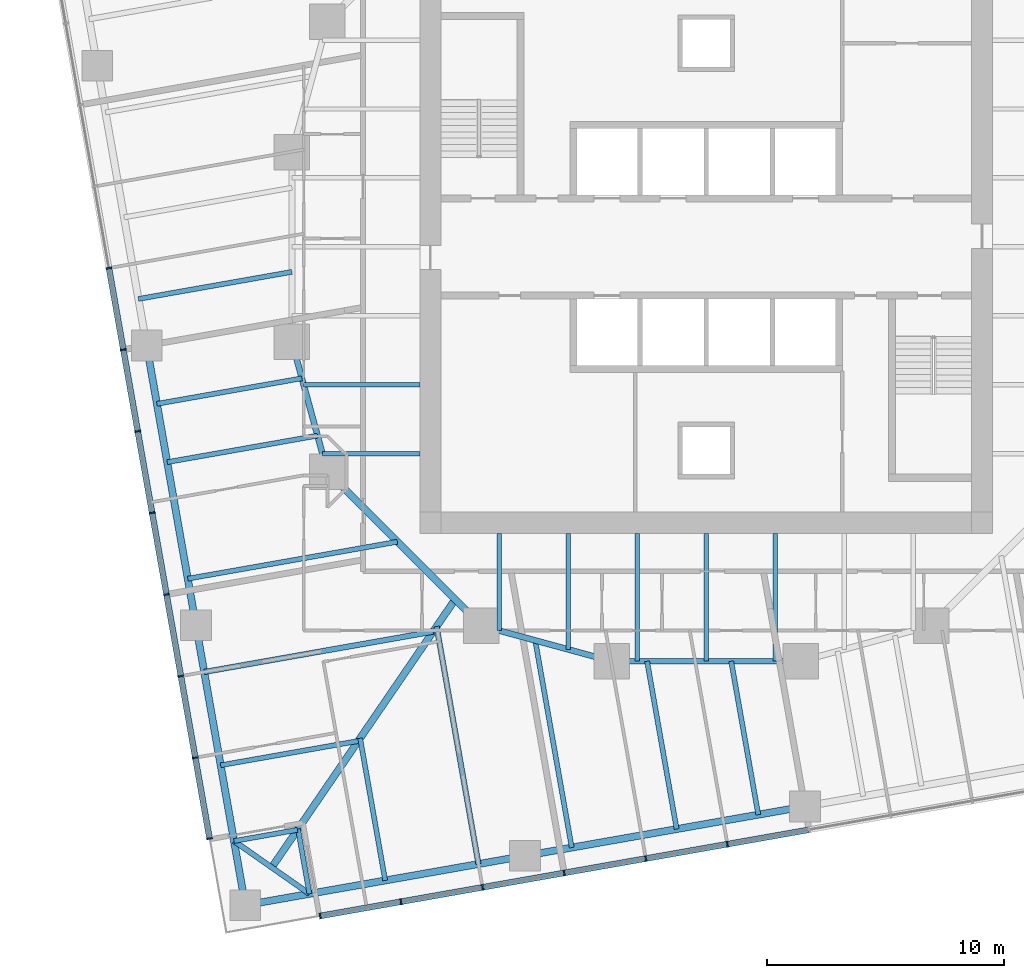
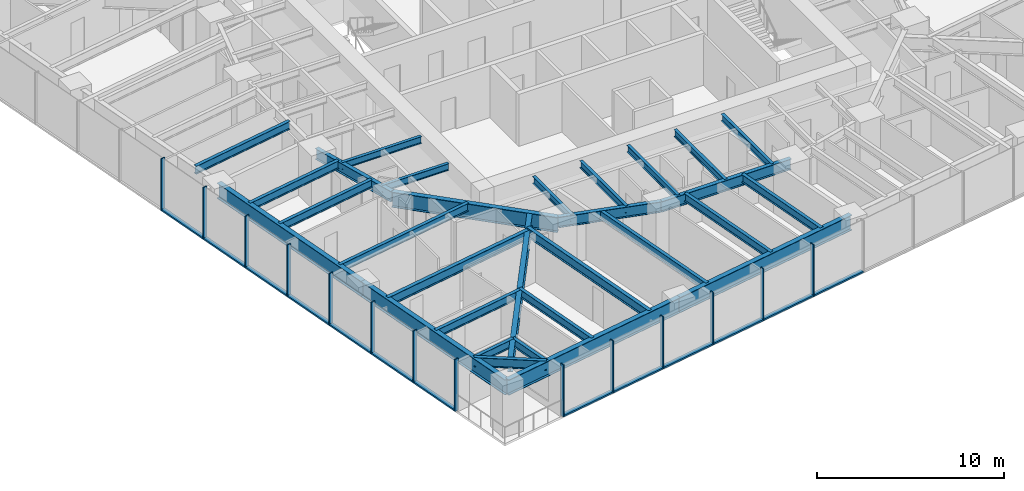
# One storey, part 2 of 14: 30 beams, 27 members, 2 elements without a shape of their own.
"""IFC4 building model written with IfcOpenShell, lengths in metres."""

from ifc_helpers import new_model, si_unit, direction, frame, origin, origin_2d, place, context, subcontext, project, spatial, rectangle, i_section, extrude, material, material_profile, profile_set, type_object, element, aggregate, save


model = new_model("IFC4")

# Units and contexts
model_context = context("Model", 3, precision=1e-05, world=origin(), true_north=direction((0.0, 1.0)))
body_context = subcontext(model_context, "Body", "Model", "MODEL_VIEW")
ifc_project = project(units=[si_unit("LENGTHUNIT", "METRE"), si_unit("AREAUNIT", "SQUARE_METRE"), si_unit("VOLUMEUNIT", "CUBIC_METRE"), si_unit("PLANEANGLEUNIT", "RADIAN"), si_unit("MASSUNIT", "GRAM", prefix="KILO")], contexts=[model_context])

# Site, building, storey
site_placement = place(None, origin())
site = spatial("IfcSite", under=ifc_project, at=site_placement, CompositionType="ELEMENT")
building_placement = place(site_placement, origin())
building = spatial("IfcBuilding", under=site, at=building_placement, Name="Torsade Residences", CompositionType="ELEMENT")
storey_placement = place(building_placement, frame((0.0, 0.0, 96.39990234375)))
storey = spatial("IfcBuildingStorey", under=building, at=storey_placement, Name="L26", CompositionType="ELEMENT", Elevation=96.39990234375)

# Beams
ifc_material_1 = material(Name="Steel grade 300", Category="steel")
ifc_material_profile_1 = material_profile(ifc_material_1, i_section(OverallWidth=0.300048828125, OverallDepth=0.89990234375, WebThickness=0.011962890625, FlangeThickness=0.02490234375, at=origin_2d()), Name="900WB175")
ifc_profile_set_1 = profile_set([ifc_material_profile_1], Name="Steel grade 300")
beam_type_1 = type_object("IfcBeamType", Name="CORNER GIRDER 900WB175", PredefinedType="BEAM", material=ifc_profile_set_1)
beam_1_placement = place(storey_placement, frame((21.6474609375, 3.7900390625, 2.800048828125), z_axis=(0.564724759437, 0.825279313977, 0.0), x_axis=(-0.825279313977, 0.564724759437, 0.0)))
element("IfcBeam", 1, at=beam_1_placement, inside=storey, type_object=beam_type_1, Name="Corner girder 01 L27", PredefinedType="BEAM", context=body_context, shape_type="SweptSolid", body=[
    extrude(i_section(OverallWidth=0.300048828125, OverallDepth=0.89990234375, WebThickness=0.011962890625, FlangeThickness=0.02490234375, at=origin_2d()), origin(), (0.0, 0.0, 1.0), 13.7138671875),
])
ifc_material_2 = material(Name="Steel grade 300", Category="steel")
ifc_material_profile_2 = material_profile(ifc_material_2, i_section(OverallWidth=0.22802734375, OverallDepth=0.60205078125, WebThickness=0.010498046875, FlangeThickness=0.014892578125, FilletRadius=0.013916015625, at=origin_2d()), Name="610UB101")
ifc_profile_set_2 = profile_set([ifc_material_profile_2], Name="Steel grade 300")
beam_type_2 = type_object("IfcBeamType", Name="CORNER TRIMMER 610UB101", PredefinedType="BEAM", material=ifc_profile_set_2)
beam_2_placement = place(storey_placement, frame((23.240478515625, 2.674560546875, 2.94921875), z_axis=(-0.819152285145, 0.573576092373, 0.0), x_axis=(-0.573576092373, -0.819152285145, 0.0)))
element("IfcBeam", 2, at=beam_2_placement, inside=storey, type_object=beam_type_2, Name="Corner trimmer 01 L27", PredefinedType="BEAM", context=body_context, shape_type="SweptSolid", body=[
    extrude(i_section(OverallWidth=0.22802734375, OverallDepth=0.60205078125, WebThickness=0.010498046875, FlangeThickness=0.014892578125, FilletRadius=0.013916015625, at=origin_2d()), origin(), (0.0, 0.0, 1.0), 3.88916015625),
])

# Curtain wall, members
ifc_material_3 = material(Name="Aluminium and glass", Category="aluminium")
curtain_wall_type = type_object("IfcCurtainWallType", Name="FRITTED GLASS CURTAIN WALL LOW ZONE", PredefinedType="NOTDEFINED", material=ifc_material_3)
curtain_wall_1_placement = place(storey_placement, origin())
curtain_wall_1 = element("IfcCurtainWall", 3, at=curtain_wall_1_placement, inside=storey, type_object=curtain_wall_type, Name="Curtain wall L26 face 1", PredefinedType="NOTDEFINED")
ifc_material_4 = material(Name="Aluminium mullion", Category="aluminium")
ifc_material_profile_3 = material_profile(ifc_material_4, rectangle(XDim=0.25, YDim=0.06494140625, at=origin_2d()), Name="CURTAIN WALL MULLION 250x65")
ifc_profile_set_3 = profile_set([ifc_material_profile_3], Name="Aluminium mullion")
member_type_1 = type_object("IfcMemberType", Name="CURTAIN WALL MULLION 250x65", PredefinedType="MULLION", material=ifc_profile_set_3)
member_1_placement = place(storey_placement, frame((23.692138671875, 1.73876953125, 0.0), z_axis=(0.0, 0.0, 1.0), x_axis=(-0.173648192638, 0.984807750372, 0.0)))
member_1 = element("IfcMember", 4, at=member_1_placement, type_object=member_type_1, Name="Mullion 1", PredefinedType="MULLION", context=body_context, shape_type="SweptSolid", body=[
    extrude(rectangle(XDim=0.25, YDim=0.06494140625, at=origin_2d()), origin(), (0.0, 0.0, 1.0), 3.400146484375),
])
member_2_placement = place(storey_placement, frame((27.107177734375, 2.341064453125, 0.0), z_axis=(0.0, 0.0, 1.0), x_axis=(-0.173648192638, 0.984807750372, 0.0)))
member_2 = element("IfcMember", 5, at=member_2_placement, type_object=member_type_1, Name="Mullion 2", PredefinedType="MULLION", context=body_context, shape_type="SweptSolid", body=[
    extrude(rectangle(XDim=0.25, YDim=0.06494140625, at=origin_2d()), origin(), (0.0, 0.0, 1.0), 3.400146484375),
])
member_3_placement = place(storey_placement, frame((30.553955078125, 2.94873046875, 0.0), z_axis=(0.0, 0.0, 1.0), x_axis=(-0.173648192638, 0.984807750372, 0.0)))
member_3 = element("IfcMember", 6, at=member_3_placement, type_object=member_type_1, Name="Mullion 3", PredefinedType="MULLION", context=body_context, shape_type="SweptSolid", body=[
    extrude(rectangle(XDim=0.25, YDim=0.06494140625, at=origin_2d()), origin(), (0.0, 0.0, 1.0), 3.400146484375),
])
member_4_placement = place(storey_placement, frame((34.000732421875, 3.556396484375, 0.0), z_axis=(0.0, 0.0, 1.0), x_axis=(-0.173648192638, 0.984807750372, 0.0)))
member_4 = element("IfcMember", 7, at=member_4_placement, type_object=member_type_1, Name="Mullion 4", PredefinedType="MULLION", context=body_context, shape_type="SweptSolid", body=[
    extrude(rectangle(XDim=0.25, YDim=0.06494140625, at=origin_2d()), origin(), (0.0, 0.0, 1.0), 3.400146484375),
])
member_5_placement = place(storey_placement, frame((37.447509765625, 4.164306640625, 0.0), z_axis=(0.0, 0.0, 1.0), x_axis=(-0.173648192638, 0.984807750372, 0.0)))
member_5 = element("IfcMember", 8, at=member_5_placement, type_object=member_type_1, Name="Mullion 5", PredefinedType="MULLION", context=body_context, shape_type="SweptSolid", body=[
    extrude(rectangle(XDim=0.25, YDim=0.06494140625, at=origin_2d()), origin(), (0.0, 0.0, 1.0), 3.400146484375),
])
member_6_placement = place(storey_placement, frame((40.894287109375, 4.77197265625, 0.0), z_axis=(0.0, 0.0, 1.0), x_axis=(-0.173648192638, 0.984807750372, 0.0)))
member_6 = element("IfcMember", 9, at=member_6_placement, type_object=member_type_1, Name="Mullion 6", PredefinedType="MULLION", context=body_context, shape_type="SweptSolid", body=[
    extrude(rectangle(XDim=0.25, YDim=0.06494140625, at=origin_2d()), origin(), (0.0, 0.0, 1.0), 3.400146484375),
])

curtain_wall_2_placement = place(storey_placement, origin())
curtain_wall_2 = element("IfcCurtainWall", 10, at=curtain_wall_2_placement, inside=storey, type_object=curtain_wall_type, Name="Curtain wall L26 face 10", PredefinedType="NOTDEFINED")
member_7_placement = place(storey_placement, frame((14.77197265625, 29.105712890625, 0.0), z_axis=(0.0, 0.0, 1.0), x_axis=(0.984807750372, 0.173648192638, 0.0)))
member_7 = element("IfcMember", 11, at=member_7_placement, type_object=member_type_1, Name="Mullion 6", PredefinedType="MULLION", context=body_context, shape_type="SweptSolid", body=[
    extrude(rectangle(XDim=0.25, YDim=0.06494140625, at=origin_2d()), origin(), (0.0, 0.0, 1.0), 3.400146484375),
])
member_8_placement = place(storey_placement, frame((15.3798828125, 25.65869140625, 0.0), z_axis=(0.0, 0.0, 1.0), x_axis=(0.984807750372, 0.173648192638, 0.0)))
member_8 = element("IfcMember", 12, at=member_8_placement, type_object=member_type_1, Name="Mullion 7", PredefinedType="MULLION", context=body_context, shape_type="SweptSolid", body=[
    extrude(rectangle(XDim=0.25, YDim=0.06494140625, at=origin_2d()), origin(), (0.0, 0.0, 1.0), 3.400146484375),
])
member_9_placement = place(storey_placement, frame((15.987548828125, 22.2119140625, 0.0), z_axis=(0.0, 0.0, 1.0), x_axis=(0.984807750372, 0.173648192638, 0.0)))
member_9 = element("IfcMember", 13, at=member_9_placement, type_object=member_type_1, Name="Mullion 8", PredefinedType="MULLION", context=body_context, shape_type="SweptSolid", body=[
    extrude(rectangle(XDim=0.25, YDim=0.06494140625, at=origin_2d()), origin(), (0.0, 0.0, 1.0), 3.400146484375),
])
member_10_placement = place(storey_placement, frame((16.595458984375, 18.76513671875, 0.0), z_axis=(0.0, 0.0, 1.0), x_axis=(0.984807750372, 0.173648192638, 0.0)))
member_10 = element("IfcMember", 14, at=member_10_placement, type_object=member_type_1, Name="Mullion 9", PredefinedType="MULLION", context=body_context, shape_type="SweptSolid", body=[
    extrude(rectangle(XDim=0.25, YDim=0.06494140625, at=origin_2d()), origin(), (0.0, 0.0, 1.0), 3.400146484375),
])
member_11_placement = place(storey_placement, frame((17.203125, 15.318359375, 0.0), z_axis=(0.0, 0.0, 1.0), x_axis=(0.984807750372, 0.173648192638, 0.0)))
member_11 = element("IfcMember", 15, at=member_11_placement, type_object=member_type_1, Name="Mullion 10", PredefinedType="MULLION", context=body_context, shape_type="SweptSolid", body=[
    extrude(rectangle(XDim=0.25, YDim=0.06494140625, at=origin_2d()), origin(), (0.0, 0.0, 1.0), 3.400146484375),
])
member_12_placement = place(storey_placement, frame((17.810791015625, 11.87158203125, 0.0), z_axis=(0.0, 0.0, 1.0), x_axis=(0.984807750372, 0.173648192638, 0.0)))
member_12 = element("IfcMember", 16, at=member_12_placement, type_object=member_type_1, Name="Mullion 11", PredefinedType="MULLION", context=body_context, shape_type="SweptSolid", body=[
    extrude(rectangle(XDim=0.25, YDim=0.06494140625, at=origin_2d()), origin(), (0.0, 0.0, 1.0), 3.400146484375),
])
member_13_placement = place(storey_placement, frame((18.418701171875, 8.424560546875, 0.0), z_axis=(0.0, 0.0, 1.0), x_axis=(0.984807750372, 0.173648192638, 0.0)))
member_13 = element("IfcMember", 17, at=member_13_placement, type_object=member_type_1, Name="Mullion 12", PredefinedType="MULLION", context=body_context, shape_type="SweptSolid", body=[
    extrude(rectangle(XDim=0.25, YDim=0.06494140625, at=origin_2d()), origin(), (0.0, 0.0, 1.0), 3.400146484375),
])
member_14_placement = place(storey_placement, frame((19.020751953125, 5.009765625, 0.0), z_axis=(0.0, 0.0, 1.0), x_axis=(0.984807750372, 0.173648192638, 0.0)))
member_14 = element("IfcMember", 18, at=member_14_placement, type_object=member_type_1, Name="Mullion 13", PredefinedType="MULLION", context=body_context, shape_type="SweptSolid", body=[
    extrude(rectangle(XDim=0.25, YDim=0.06494140625, at=origin_2d()), origin(), (0.0, 0.0, 1.0), 3.400146484375),
])

# Member
ifc_material_5 = material(Name="Aluminium transom", Category="aluminium")
ifc_material_profile_4 = material_profile(ifc_material_5, rectangle(XDim=0.25, YDim=0.10009765625, at=origin_2d()), Name="CURTAIN WALL TRANSOM 250x100")
ifc_profile_set_4 = profile_set([ifc_material_profile_4], Name="Aluminium transom")
member_type_2 = type_object("IfcMemberType", Name="CURTAIN WALL TRANSOM 250x100", PredefinedType="USERDEFINED", material=ifc_profile_set_4)
member_15_placement = place(storey_placement, frame((23.724365234375, 1.744384765625, 0.050048828125), z_axis=(0.984806666774, 0.173654337918, 0.0), x_axis=(-0.173654337918, 0.984806666774, 0.0)))
member_15 = element("IfcMember", 19, at=member_15_placement, type_object=member_type_2, Name="Transom 1.1", ObjectType="TRANSOM", PredefinedType="USERDEFINED", context=body_context, shape_type="SweptSolid", body=[
    extrude(rectangle(XDim=0.25, YDim=0.10009765625, at=origin_2d()), origin(), (0.0, 0.0, 1.0), 3.40234375),
])

member_16_placement = place(storey_placement, frame((27.13916015625, 2.3466796875, 0.050048828125), z_axis=(0.984810021497, 0.17363531196, 0.0), x_axis=(-0.17363531196, 0.984810021497, 0.0)))
member_16 = element("IfcMember", 20, at=member_16_placement, type_object=member_type_2, Name="Transom 2.1", ObjectType="TRANSOM", PredefinedType="USERDEFINED", context=body_context, shape_type="SweptSolid", body=[
    extrude(rectangle(XDim=0.25, YDim=0.10009765625, at=origin_2d()), origin(), (0.0, 0.0, 1.0), 3.43505859375),
])

member_17_placement = place(storey_placement, frame((30.5859375, 2.954345703125, 0.050048828125), z_axis=(0.984810021497, 0.17363531196, 0.0), x_axis=(-0.17363531196, 0.984810021497, 0.0)))
member_17 = element("IfcMember", 21, at=member_17_placement, type_object=member_type_2, Name="Transom 3.1", ObjectType="TRANSOM", PredefinedType="USERDEFINED", context=body_context, shape_type="SweptSolid", body=[
    extrude(rectangle(XDim=0.25, YDim=0.10009765625, at=origin_2d()), origin(), (0.0, 0.0, 1.0), 3.43505859375),
])

member_18_placement = place(storey_placement, frame((34.03271484375, 3.562255859375, 0.050048828125), z_axis=(0.984810021497, 0.17363531196, 0.0), x_axis=(-0.17363531196, 0.984810021497, 0.0)))
member_18 = element("IfcMember", 22, at=member_18_placement, type_object=member_type_2, Name="Transom 4.1", ObjectType="TRANSOM", PredefinedType="USERDEFINED", context=body_context, shape_type="SweptSolid", body=[
    extrude(rectangle(XDim=0.25, YDim=0.10009765625, at=origin_2d()), origin(), (0.0, 0.0, 1.0), 3.43505859375),
])

member_19_placement = place(storey_placement, frame((37.4794921875, 4.169921875, 0.050048828125), z_axis=(0.984810021497, 0.17363531196, 0.0), x_axis=(-0.17363531196, 0.984810021497, 0.0)))
member_19 = element("IfcMember", 23, at=member_19_placement, type_object=member_type_2, Name="Transom 5.1", ObjectType="TRANSOM", PredefinedType="USERDEFINED", context=body_context, shape_type="SweptSolid", body=[
    extrude(rectangle(XDim=0.25, YDim=0.10009765625, at=origin_2d()), origin(), (0.0, 0.0, 1.0), 3.43505859375),
])

member_20_placement = place(storey_placement, frame((40.92626953125, 4.777587890625, 0.050048828125), z_axis=(0.98479786563, 0.173704242465, 0.0), x_axis=(-0.173704242465, 0.98479786563, 0.0)))
member_20 = element("IfcMember", 24, at=member_20_placement, type_object=member_type_2, Name="Transom 6.1", ObjectType="TRANSOM", PredefinedType="USERDEFINED", context=body_context, shape_type="SweptSolid", body=[
    extrude(rectangle(XDim=0.25, YDim=0.10009765625, at=origin_2d()), origin(), (0.0, 0.0, 1.0), 3.43505859375),
])

aggregate(curtain_wall_1, [member_1, member_2, member_3, member_4, member_5, member_6, member_15, member_16, member_17, member_18, member_19, member_20])

member_21_placement = place(storey_placement, frame((14.777587890625, 29.07373046875, 0.050048828125), z_axis=(0.173704242465, -0.98479786563, 0.0), x_axis=(0.98479786563, 0.173704242465, 0.0)))
member_21 = element("IfcMember", 25, at=member_21_placement, type_object=member_type_2, Name="Transom 6.1", ObjectType="TRANSOM", PredefinedType="USERDEFINED", context=body_context, shape_type="SweptSolid", body=[
    extrude(rectangle(XDim=0.25, YDim=0.10009765625, at=origin_2d()), origin(), (0.0, 0.0, 1.0), 3.43505859375),
])

member_22_placement = place(storey_placement, frame((15.385498046875, 25.626708984375, 0.050048828125), z_axis=(0.17363531196, -0.984810021497, 0.0), x_axis=(0.984810021497, 0.17363531196, 0.0)))
member_22 = element("IfcMember", 26, at=member_22_placement, type_object=member_type_2, Name="Transom 7.1", ObjectType="TRANSOM", PredefinedType="USERDEFINED", context=body_context, shape_type="SweptSolid", body=[
    extrude(rectangle(XDim=0.25, YDim=0.10009765625, at=origin_2d()), origin(), (0.0, 0.0, 1.0), 3.43505859375),
])

member_23_placement = place(storey_placement, frame((15.9931640625, 22.179931640625, 0.050048828125), z_axis=(0.17363531196, -0.984810021497, 0.0), x_axis=(0.984810021497, 0.17363531196, 0.0)))
member_23 = element("IfcMember", 27, at=member_23_placement, type_object=member_type_2, Name="Transom 8.1", ObjectType="TRANSOM", PredefinedType="USERDEFINED", context=body_context, shape_type="SweptSolid", body=[
    extrude(rectangle(XDim=0.25, YDim=0.10009765625, at=origin_2d()), origin(), (0.0, 0.0, 1.0), 3.43505859375),
])

member_24_placement = place(storey_placement, frame((16.60107421875, 18.733154296875, 0.050048828125), z_axis=(0.17363531196, -0.984810021497, 0.0), x_axis=(0.984810021497, 0.17363531196, 0.0)))
member_24 = element("IfcMember", 28, at=member_24_placement, type_object=member_type_2, Name="Transom 9.1", ObjectType="TRANSOM", PredefinedType="USERDEFINED", context=body_context, shape_type="SweptSolid", body=[
    extrude(rectangle(XDim=0.25, YDim=0.10009765625, at=origin_2d()), origin(), (0.0, 0.0, 1.0), 3.43505859375),
])

member_25_placement = place(storey_placement, frame((17.208740234375, 15.286376953125, 0.050048828125), z_axis=(0.17363531196, -0.984810021497, 0.0), x_axis=(0.984810021497, 0.17363531196, 0.0)))
member_25 = element("IfcMember", 29, at=member_25_placement, type_object=member_type_2, Name="Transom 10.1", ObjectType="TRANSOM", PredefinedType="USERDEFINED", context=body_context, shape_type="SweptSolid", body=[
    extrude(rectangle(XDim=0.25, YDim=0.10009765625, at=origin_2d()), origin(), (0.0, 0.0, 1.0), 3.43505859375),
])

member_26_placement = place(storey_placement, frame((17.81640625, 11.839599609375, 0.050048828125), z_axis=(0.173704242465, -0.98479786563, 0.0), x_axis=(0.98479786563, 0.173704242465, 0.0)))
member_26 = element("IfcMember", 30, at=member_26_placement, type_object=member_type_2, Name="Transom 11.1", ObjectType="TRANSOM", PredefinedType="USERDEFINED", context=body_context, shape_type="SweptSolid", body=[
    extrude(rectangle(XDim=0.25, YDim=0.10009765625, at=origin_2d()), origin(), (0.0, 0.0, 1.0), 3.43505859375),
])

member_27_placement = place(storey_placement, frame((18.42431640625, 8.392578125, 0.050048828125), z_axis=(0.173642067011, -0.984808830466, 0.0), x_axis=(0.984808830466, 0.173642067011, 0.0)))
member_27 = element("IfcMember", 31, at=member_27_placement, type_object=member_type_2, Name="Transom 12.1", ObjectType="TRANSOM", PredefinedType="USERDEFINED", context=body_context, shape_type="SweptSolid", body=[
    extrude(rectangle(XDim=0.25, YDim=0.10009765625, at=origin_2d()), origin(), (0.0, 0.0, 1.0), 3.402587890625),
])

aggregate(curtain_wall_2, [member_7, member_8, member_9, member_10, member_11, member_12, member_13, member_14, member_21, member_22, member_23, member_24, member_25, member_26, member_27])

# Beams
ifc_material_6 = material(Name="Steel grade 300", Category="steel")
ifc_material_profile_5 = material_profile(ifc_material_6, i_section(OverallWidth=0.300048828125, OverallDepth=1.0, WebThickness=0.01611328125, FlangeThickness=0.028076171875, at=origin_2d()), Name="1000WB215")
ifc_profile_set_5 = profile_set([ifc_material_profile_5], Name="Steel grade 300")
beam_type_3 = type_object("IfcBeamType", Name="EDGE BEAM 1000WB215", PredefinedType="SPANDREL", material=ifc_profile_set_5)
for number, where, z_axis, x_axis, name in (
    (32, (20.5322265625, 2.197021484375, 2.75), (0.984808127031, 0.173646056486, 0.0), (-0.173646056486, 0.984808127031, 0.0), "Edge beam 01 L27"),
    (33, (32.349853515625, 4.28076171875, 2.75), (0.984808127031, 0.173646056486, 0.0), (-0.173646056486, 0.984808127031, 0.0), "Edge beam 02 L27"),
):
    element("IfcBeam", number, at=place(storey_placement, frame(where, z_axis=z_axis, x_axis=x_axis)), inside=storey, type_object=beam_type_3, Name=name, PredefinedType="SPANDREL", context=body_context, shape_type="SweptSolid", body=[
        extrude(i_section(OverallWidth=0.300048828125, OverallDepth=1.0, WebThickness=0.01611328125, FlangeThickness=0.028076171875, at=origin_2d()), origin(), (0.0, 0.0, 1.0), 12.0),
    ])
beam_3_placement = place(storey_placement, frame((16.364501953125, 25.83251953125, 2.75), z_axis=(0.173662308598, -0.984805261243, 0.0), x_axis=(0.984805261243, 0.173662308598, 0.0)))
element("IfcBeam", 34, at=beam_3_placement, inside=storey, type_object=beam_type_3, Name="Edge beam 15 L27", PredefinedType="SPANDREL", context=body_context, shape_type="SweptSolid", body=[
    extrude(i_section(OverallWidth=0.300048828125, OverallDepth=1.0, WebThickness=0.01611328125, FlangeThickness=0.028076171875, at=origin_2d()), origin(), (0.0, 0.0, 1.0), 12.000244140625),
])
beam_4_placement = place(storey_placement, frame((18.448486328125, 14.0146484375, 2.75), z_axis=(0.173646056486, -0.984808127031, 0.0), x_axis=(0.984808127031, 0.173646056486, 0.0)))
element("IfcBeam", 35, at=beam_4_placement, inside=storey, type_object=beam_type_3, Name="Edge beam 16 L27", PredefinedType="SPANDREL", context=body_context, shape_type="SweptSolid", body=[
    extrude(i_section(OverallWidth=0.300048828125, OverallDepth=1.0, WebThickness=0.01611328125, FlangeThickness=0.028076171875, at=origin_2d()), origin(), (0.0, 0.0, 1.0), 12.0),
])
ifc_material_7 = material(Name="Steel grade 300", Category="steel")
ifc_material_profile_6 = material_profile(ifc_material_7, i_section(OverallWidth=0.18994140625, OverallDepth=0.4541015625, WebThickness=0.008544921875, FlangeThickness=0.0126953125, FilletRadius=0.011474609375, at=origin_2d()), Name="460UB67.1")
ifc_profile_set_6 = profile_set([ifc_material_profile_6], Name="Steel grade 300")
beam_type_4 = type_object("IfcBeamType", Name="INNER FLOOR BEAM 460UB67.1", PredefinedType="JOIST", material=ifc_profile_set_6)
for number, where, z_axis, x_axis, name in (
    (36, (42.91259765625, 17.89990234375, 3.023193359375), (0.0, -1.0, 0.0), (1.0, 0.0, 0.0), "Inner floor beam IS03 L27"),
    (37, (40.0, 17.89990234375, 3.023193359375), (0.0, -1.0, 0.0), (1.0, 0.0, 0.0), "Inner floor beam IS04 L27"),
    (38, (37.08740234375, 17.89990234375, 3.023193359375), (0.0, -1.0, 0.0), (1.0, 0.0, 0.0), "Inner floor beam IS05 L27"),
):
    element("IfcBeam", number, at=place(storey_placement, frame(where, z_axis=z_axis, x_axis=x_axis)), inside=storey, type_object=beam_type_4, Name=name, PredefinedType="JOIST", context=body_context, shape_type="SweptSolid", body=[
        extrude(i_section(OverallWidth=0.18994140625, OverallDepth=0.4541015625, WebThickness=0.008544921875, FlangeThickness=0.0126953125, FilletRadius=0.011474609375, at=origin_2d()), origin(), (0.0, 0.0, 1.0), 5.39990234375),
    ])
beam_5_placement = place(storey_placement, frame((34.175048828125, 17.89990234375, 3.023193359375), z_axis=(0.0, -1.0, 0.0), x_axis=(1.0, 0.0, 0.0)))
element("IfcBeam", 39, at=beam_5_placement, inside=storey, type_object=beam_type_4, Name="Inner floor beam IS06 L27", PredefinedType="JOIST", context=body_context, shape_type="SweptSolid", body=[
    extrude(i_section(OverallWidth=0.18994140625, OverallDepth=0.4541015625, WebThickness=0.008544921875, FlangeThickness=0.0126953125, FilletRadius=0.011474609375, at=origin_2d()), origin(), (0.0, 0.0, 1.0), 4.902099609375),
])
beam_6_placement = place(storey_placement, frame((31.262451171875, 17.89990234375, 3.023193359375), z_axis=(0.0, -1.0, 0.0), x_axis=(1.0, 0.0, 0.0)))
element("IfcBeam", 40, at=beam_6_placement, inside=storey, type_object=beam_type_4, Name="Inner floor beam IS07 L27", PredefinedType="JOIST", context=body_context, shape_type="SweptSolid", body=[
    extrude(i_section(OverallWidth=0.18994140625, OverallDepth=0.4541015625, WebThickness=0.008544921875, FlangeThickness=0.0126953125, FilletRadius=0.011474609375, at=origin_2d()), origin(), (0.0, 0.0, 1.0), 4.10791015625),
])
beam_7_placement = place(storey_placement, frame((27.89990234375, 24.175048828125, 3.023193359375), z_axis=(-1.0, 0.0, 0.0), x_axis=(0.0, -1.0, 0.0)))
element("IfcBeam", 41, at=beam_7_placement, inside=storey, type_object=beam_type_4, Name="Inner floor beam IW06 L27", PredefinedType="JOIST", context=body_context, shape_type="SweptSolid", body=[
    extrude(i_section(OverallWidth=0.18994140625, OverallDepth=0.4541015625, WebThickness=0.008544921875, FlangeThickness=0.0126953125, FilletRadius=0.011474609375, at=origin_2d()), origin(), (0.0, 0.0, 1.0), 4.902099609375),
])
beam_8_placement = place(storey_placement, frame((27.89990234375, 21.262451171875, 3.023193359375), z_axis=(-1.0, 0.0, 0.0), x_axis=(0.0, -1.0, 0.0)))
element("IfcBeam", 42, at=beam_8_placement, inside=storey, type_object=beam_type_4, Name="Inner floor beam IW07 L27", PredefinedType="JOIST", context=body_context, shape_type="SweptSolid", body=[
    extrude(i_section(OverallWidth=0.18994140625, OverallDepth=0.4541015625, WebThickness=0.008544921875, FlangeThickness=0.0126953125, FilletRadius=0.011474609375, at=origin_2d()), origin(), (0.0, 0.0, 1.0), 4.10791015625),
])
ifc_material_8 = material(Name="Steel grade 300", Category="steel")
ifc_material_profile_7 = material_profile(ifc_material_8, i_section(OverallWidth=0.300048828125, OverallDepth=1.0, WebThickness=0.01611328125, FlangeThickness=0.028076171875, at=origin_2d()), Name="1000WB215")
ifc_profile_set_7 = profile_set([ifc_material_profile_7], Name="Steel grade 300")
beam_type_5 = type_object("IfcBeamType", Name="RING CORNER GIRDER 1000WB215", PredefinedType="BEAM", material=ifc_profile_set_7)
beam_9_placement = place(storey_placement, frame((24.0, 20.5, 2.75), z_axis=(0.707106781187, -0.707106781187, 0.0), x_axis=(0.707106781187, 0.707106781187, 0.0)))
element("IfcBeam", 43, at=beam_9_placement, inside=storey, type_object=beam_type_5, Name="Ring girder IR11 L27", PredefinedType="BEAM", context=body_context, shape_type="SweptSolid", body=[
    extrude(i_section(OverallWidth=0.300048828125, OverallDepth=1.0, WebThickness=0.01611328125, FlangeThickness=0.028076171875, at=origin_2d()), origin(), (0.0, 0.0, 1.0), 9.1923828125),
])
ifc_material_9 = material(Name="Steel grade 300", Category="steel")
ifc_material_profile_8 = material_profile(ifc_material_9, i_section(OverallWidth=0.25, OverallDepth=0.699951171875, WebThickness=0.010009765625, FlangeThickness=0.02001953125, at=origin_2d()), Name="700WB130")
ifc_profile_set_8 = profile_set([ifc_material_profile_8], Name="Steel grade 300")
beam_type_6 = type_object("IfcBeamType", Name="RING GIRDER 700WB130", PredefinedType="BEAM", material=ifc_profile_set_8)
for number, where, z_axis, x_axis, name in (
    (44, (22.5, 26.0, 2.900146484375), (0.263117405792, -0.964763821238, 0.0), (0.964763821238, 0.263117405792, 0.0), "Ring girder IR10 L27"),
    (45, (30.5, 14.0, 2.900146484375), (0.964763821238, -0.263117405792, 0.0), (0.263117405792, 0.964763821238, 0.0), "Ring girder IR12 L27"),
):
    element("IfcBeam", number, at=place(storey_placement, frame(where, z_axis=z_axis, x_axis=x_axis)), inside=storey, type_object=beam_type_6, Name=name, PredefinedType="BEAM", context=body_context, shape_type="SweptSolid", body=[
        extrude(i_section(OverallWidth=0.25, OverallDepth=0.699951171875, WebThickness=0.010009765625, FlangeThickness=0.02001953125, at=origin_2d()), origin(), (0.0, 0.0, 1.0), 5.700927734375),
    ])
beam_10_placement = place(storey_placement, frame((36.0, 12.5, 2.900146484375), z_axis=(1.0, 0.0, 0.0), x_axis=(0.0, 1.0, 0.0)))
element("IfcBeam", 46, at=beam_10_placement, inside=storey, type_object=beam_type_6, Name="Ring girder IR13 L27", PredefinedType="BEAM", context=body_context, shape_type="SweptSolid", body=[
    extrude(i_section(OverallWidth=0.25, OverallDepth=0.699951171875, WebThickness=0.010009765625, FlangeThickness=0.02001953125, at=origin_2d()), origin(), (0.0, 0.0, 1.0), 8.0),
])
ifc_material_10 = material(Name="Steel grade 300", Category="steel")
ifc_material_profile_9 = material_profile(ifc_material_10, i_section(OverallWidth=0.208984375, OverallDepth=0.528076171875, WebThickness=0.009521484375, FlangeThickness=0.01318359375, FilletRadius=0.013916015625, at=origin_2d()), Name="530UB82.0")
ifc_profile_set_9 = profile_set([ifc_material_profile_9], Name="Steel grade 300")
beam_type_7 = type_object("IfcBeamType", Name="SECONDARY BEAM 530UB82.0", PredefinedType="JOIST", material=ifc_profile_set_9)
beam_11_placement = place(storey_placement, frame((23.240478515625, 2.674560546875, 2.986083984375), z_axis=(-0.173705176765, 0.984797700832, 0.0), x_axis=(-0.984797700832, -0.173705176765, 0.0)))
element("IfcBeam", 47, at=beam_11_placement, inside=storey, type_object=beam_type_7, Name="Floor beam FS01 L27", PredefinedType="JOIST", context=body_context, shape_type="SweptSolid", body=[
    extrude(i_section(OverallWidth=0.208984375, OverallDepth=0.528076171875, WebThickness=0.009521484375, FlangeThickness=0.01318359375, FilletRadius=0.013916015625, at=origin_2d()), origin(), (0.0, 0.0, 1.0), 2.780029296875),
])
beam_12_placement = place(storey_placement, frame((26.44091796875, 3.239013671875, 2.986083984375), z_axis=(-0.173639225065, 0.984809331556, 0.0), x_axis=(-0.984809331556, -0.173639225065, 0.0)))
element("IfcBeam", 48, at=beam_12_placement, inside=storey, type_object=beam_type_7, Name="Floor beam FS02 L27", PredefinedType="JOIST", context=body_context, shape_type="SweptSolid", body=[
    extrude(i_section(OverallWidth=0.208984375, OverallDepth=0.528076171875, WebThickness=0.009521484375, FlangeThickness=0.01318359375, FilletRadius=0.013916015625, at=origin_2d()), origin(), (0.0, 0.0, 1.0), 6.100830078125),
])
beam_13_placement = place(storey_placement, frame((34.319580078125, 4.628173828125, 2.986083984375), z_axis=(-0.173667781384, 0.984804296147, 0.0), x_axis=(-0.984804296147, -0.173667781384, 0.0)))
element("IfcBeam", 49, at=beam_13_placement, inside=storey, type_object=beam_type_7, Name="Floor beam FS04 L27", PredefinedType="JOIST", context=body_context, shape_type="SweptSolid", body=[
    extrude(i_section(OverallWidth=0.208984375, OverallDepth=0.528076171875, WebThickness=0.009521484375, FlangeThickness=0.01318359375, FilletRadius=0.013916015625, at=origin_2d()), origin(), (0.0, 0.0, 1.0), 8.885986328125),
])
beam_14_placement = place(storey_placement, frame((38.751220703125, 5.40966796875, 2.986083984375), z_axis=(-0.173651855324, 0.984807104535, 0.0), x_axis=(-0.984807104535, -0.173651855324, 0.0)))
element("IfcBeam", 50, at=beam_14_placement, inside=storey, type_object=beam_type_7, Name="Floor beam FS05 L27", PredefinedType="JOIST", context=body_context, shape_type="SweptSolid", body=[
    extrude(i_section(OverallWidth=0.208984375, OverallDepth=0.528076171875, WebThickness=0.009521484375, FlangeThickness=0.01318359375, FilletRadius=0.013916015625, at=origin_2d()), origin(), (0.0, 0.0, 1.0), 7.19970703125),
])
for number, where, z_axis, x_axis, name in (
    (51, (42.197998046875, 6.017333984375, 2.986083984375), (-0.173647806501, 0.984807818459, 0.0), (-0.984807818459, -0.173647806501, 0.0), "Floor beam FS06 L27"),
    (52, (16.017333984375, 27.802001953125, 2.986083984375), (0.984807818459, 0.173647806501, 0.0), (-0.173647806501, 0.984807818459, 0.0), "Floor beam FW06 L27"),
):
    element("IfcBeam", number, at=place(storey_placement, frame(where, z_axis=z_axis, x_axis=x_axis)), inside=storey, type_object=beam_type_7, Name=name, PredefinedType="JOIST", context=body_context, shape_type="SweptSolid", body=[
        extrude(i_section(OverallWidth=0.208984375, OverallDepth=0.528076171875, WebThickness=0.009521484375, FlangeThickness=0.01318359375, FilletRadius=0.013916015625, at=origin_2d()), origin(), (0.0, 0.0, 1.0), 6.582763671875),
    ])
beam_15_placement = place(storey_placement, frame((16.798828125, 23.370361328125, 2.986083984375), z_axis=(0.984806474989, 0.173655425542, 0.0), x_axis=(-0.173655425542, 0.984806474989, 0.0)))
element("IfcBeam", 53, at=beam_15_placement, inside=storey, type_object=beam_type_7, Name="Floor beam FW07 L27", PredefinedType="JOIST", context=body_context, shape_type="SweptSolid", body=[
    extrude(i_section(OverallWidth=0.208984375, OverallDepth=0.528076171875, WebThickness=0.009521484375, FlangeThickness=0.01318359375, FilletRadius=0.013916015625, at=origin_2d()), origin(), (0.0, 0.0, 1.0), 6.21826171875),
])
beam_16_placement = place(storey_placement, frame((17.23291015625, 20.908447265625, 2.986083984375), z_axis=(0.984810608823, 0.17363198078, 0.0), x_axis=(-0.17363198078, 0.984810608823, 0.0)))
element("IfcBeam", 54, at=beam_16_placement, inside=storey, type_object=beam_type_7, Name="Floor beam FW08 L27", PredefinedType="JOIST", context=body_context, shape_type="SweptSolid", body=[
    extrude(i_section(OverallWidth=0.208984375, OverallDepth=0.528076171875, WebThickness=0.009521484375, FlangeThickness=0.01318359375, FilletRadius=0.013916015625, at=origin_2d()), origin(), (0.0, 0.0, 1.0), 6.4482421875),
])
beam_17_placement = place(storey_placement, frame((18.10107421875, 15.984375, 2.986083984375), z_axis=(0.984809246638, 0.173639706679, 0.0), x_axis=(-0.173639706679, 0.984809246638, 0.0)))
element("IfcBeam", 55, at=beam_17_placement, inside=storey, type_object=beam_type_7, Name="Floor beam FW09 L27", PredefinedType="JOIST", context=body_context, shape_type="SweptSolid", body=[
    extrude(i_section(OverallWidth=0.208984375, OverallDepth=0.528076171875, WebThickness=0.009521484375, FlangeThickness=0.01318359375, FilletRadius=0.013916015625, at=origin_2d()), origin(), (0.0, 0.0, 1.0), 8.989990234375),
])
beam_18_placement = place(storey_placement, frame((19.490234375, 8.10595703125, 2.986083984375), z_axis=(0.984811033899, 0.173629569808, 0.0), x_axis=(-0.173629569808, 0.984811033899, 0.0)))
element("IfcBeam", 56, at=beam_18_placement, inside=storey, type_object=beam_type_7, Name="Floor beam FW11 L27", PredefinedType="JOIST", context=body_context, shape_type="SweptSolid", body=[
    extrude(i_section(OverallWidth=0.208984375, OverallDepth=0.528076171875, WebThickness=0.009521484375, FlangeThickness=0.01318359375, FilletRadius=0.013916015625, at=origin_2d()), origin(), (0.0, 0.0, 1.0), 5.9013671875),
])
beam_19_placement = place(storey_placement, frame((20.0546875, 4.9052734375, 2.986083984375), z_axis=(0.984807941563, 0.17364710834, 0.0), x_axis=(-0.17364710834, 0.984807941563, 0.0)))
element("IfcBeam", 57, at=beam_19_placement, inside=storey, type_object=beam_type_7, Name="Floor beam FW12 L27", PredefinedType="JOIST", context=body_context, shape_type="SweptSolid", body=[
    extrude(i_section(OverallWidth=0.208984375, OverallDepth=0.528076171875, WebThickness=0.009521484375, FlangeThickness=0.01318359375, FilletRadius=0.013916015625, at=origin_2d()), origin(), (0.0, 0.0, 1.0), 2.720458984375),
])
ifc_material_11 = material(Name="Steel grade 300", Category="steel")
ifc_material_profile_10 = material_profile(ifc_material_11, i_section(OverallWidth=0.22900390625, OverallDepth=0.612060546875, WebThickness=0.011962890625, FlangeThickness=0.01953125, FilletRadius=0.013916015625, at=origin_2d()), Name="610UB125")
ifc_profile_set_10 = profile_set([ifc_material_profile_10], Name="Steel grade 300")
beam_type_8 = type_object("IfcBeamType", Name="SECONDARY BEAM 610UB125", PredefinedType="JOIST", material=ifc_profile_set_10)
beam_20_placement = place(storey_placement, frame((30.380126953125, 3.93359375, 2.944091796875), z_axis=(-0.173644522411, 0.984808397525, 0.0), x_axis=(-0.984808397525, -0.173644522411, 0.0)))
element("IfcBeam", 58, at=beam_20_placement, inside=storey, type_object=beam_type_8, Name="Floor beam FS03 L27", PredefinedType="JOIST", context=body_context, shape_type="SweptSolid", body=[
    extrude(i_section(OverallWidth=0.22900390625, OverallDepth=0.612060546875, WebThickness=0.011962890625, FlangeThickness=0.01953125, FilletRadius=0.013916015625, at=origin_2d()), origin(), (0.0, 0.0, 1.0), 10.187744140625),
])
beam_21_placement = place(storey_placement, frame((18.795654296875, 12.045166015625, 2.944091796875), z_axis=(0.984807085789, 0.173651961637, 0.0), x_axis=(-0.173651961637, 0.984807085789, 0.0)))
element("IfcBeam", 59, at=beam_21_placement, inside=storey, type_object=beam_type_8, Name="Floor beam FW10 L27", PredefinedType="JOIST", context=body_context, shape_type="SweptSolid", body=[
    extrude(i_section(OverallWidth=0.22900390625, OverallDepth=0.612060546875, WebThickness=0.011962890625, FlangeThickness=0.01953125, FilletRadius=0.013916015625, at=origin_2d()), origin(), (0.0, 0.0, 1.0), 9.816162109375),
])

save(model, "model.ifc")
